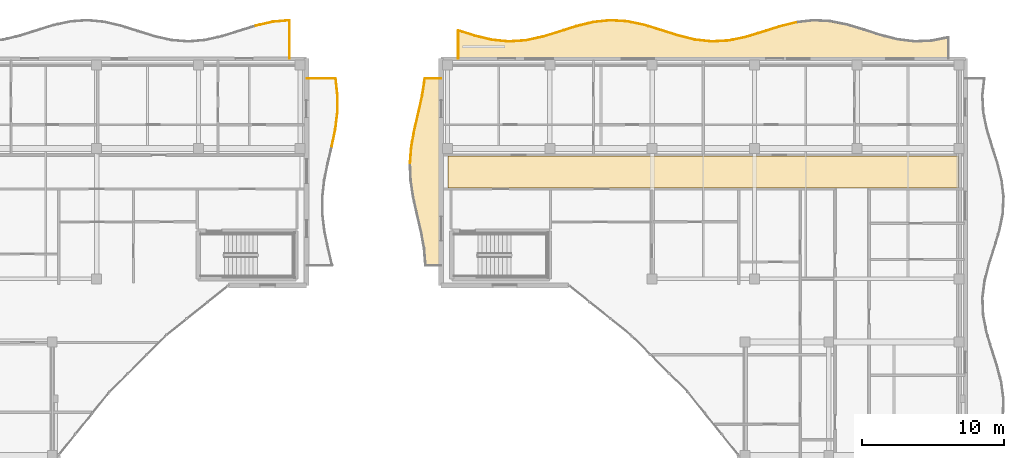
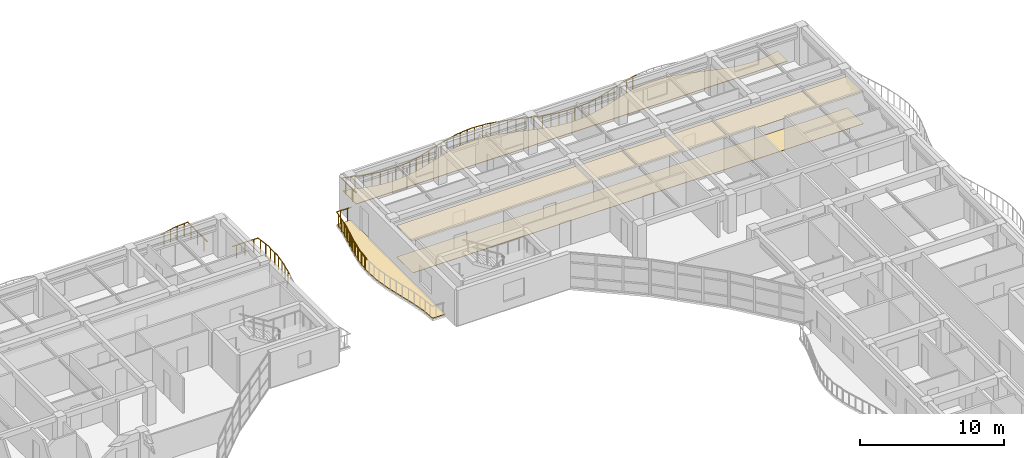
# One storey, part 127 of 128: 35 railings, 4 coverings.
"""IFC4 building model written with IfcOpenShell, lengths in metres."""

from ifc_helpers import new_model, si_unit, direction, frame, origin, origin_2d, place, context, subcontext, project, spatial, polyline, circle, outline, extrude, material, layer, layer_set, type_object, element, save


model = new_model("IFC4")

# Units and contexts
model_context = context("Model", 3, precision=1e-05, world=origin(), true_north=direction((0.0, 1.0)))
body_context = subcontext(model_context, "Body", "Model", "MODEL_VIEW")
ifc_project = project(units=[si_unit("LENGTHUNIT", "METRE"), si_unit("AREAUNIT", "SQUARE_METRE"), si_unit("VOLUMEUNIT", "CUBIC_METRE"), si_unit("PLANEANGLEUNIT", "RADIAN"), si_unit("MASSUNIT", "GRAM", prefix="KILO")], contexts=[model_context])

# Site, building, storey
site_placement = place(None, origin())
site = spatial("IfcSite", under=ifc_project, at=site_placement, CompositionType="ELEMENT")
building_placement = place(site_placement, origin())
building = spatial("IfcBuilding", under=site, at=building_placement, Name="Keldmere Railside Commons", CompositionType="ELEMENT")
storey_placement = place(building_placement, frame((0.0, 0.0, 4.159912109375)))
storey = spatial("IfcBuildingStorey", under=building, at=storey_placement, Name="L01", CompositionType="ELEMENT", Elevation=4.159912109375)

# Railings
ifc_material_1 = material(Name="Steel F-24 (S235)", Category="steel")
railing_type = type_object("IfcRailingType", Name="Balcony & Terrace Steel Balustrade 1100", PredefinedType="BALUSTRADE", material=ifc_material_1)
railing_1_placement = place(storey_placement, frame((133.9228515625, 118.319091796875, 0.0)))
element("IfcRailing", 1, at=railing_1_placement, inside=storey, type_object=railing_type, Name="GR-1 GRD-L01-1878", PredefinedType="BALUSTRADE", context=body_context, shape_type="SweptSolid", body=[
    extrude(circle(Radius=0.02392578125, at=origin_2d()), frame((0.0, 0.0, 1.076171875), z_axis=(0.974232423658, 0.225546413612, 0.0), x_axis=(-0.225546413612, 0.974232423658, 0.0)), (0.0, 0.0, 1.0), 1.219970703125),
    extrude(circle(Radius=0.02099609375, at=origin_2d()), frame((0.297119140625, 0.06884765625, 0.0)), (0.0, 0.0, 1.0), 1.048095703125),
    extrude(circle(Radius=0.02099609375, at=origin_2d()), frame((0.891357421875, 0.206298828125, 0.0)), (0.0, 0.0, 1.0), 1.048095703125),
])
railing_2_placement = place(storey_placement, frame((135.111328125, 118.59423828125, 0.0)))
element("IfcRailing", 2, at=railing_2_placement, inside=storey, type_object=railing_type, Name="GR-1 GRD-L01-1879", PredefinedType="BALUSTRADE", context=body_context, shape_type="SweptSolid", body=[
    extrude(circle(Radius=0.02392578125, at=origin_2d()), frame((0.0, 0.0, 1.076171875), z_axis=(0.996069031511, 0.088580384195, 0.0), x_axis=(-0.088580384195, 0.996069031511, 0.0)), (0.0, 0.0, 1.0), 1.193359375),
    extrude(circle(Radius=0.02099609375, at=origin_2d()), frame((0.297119140625, 0.0263671875, 0.0)), (0.0, 0.0, 1.0), 1.048095703125),
    extrude(circle(Radius=0.02099609375, at=origin_2d()), frame((0.8916015625, 0.079345703125, 0.0)), (0.0, 0.0, 1.0), 1.048095703125),
])
railing_3_placement = place(storey_placement, frame((136.300048828125, 118.699951171875, 0.0)))
element("IfcRailing", 3, at=railing_3_placement, inside=storey, type_object=railing_type, Name="GR-1 GRD-L01-1880", PredefinedType="BALUSTRADE", context=body_context, shape_type="SweptSolid", body=[
    extrude(circle(Radius=0.02392578125, at=origin_2d()), frame((0.0, 0.0, 1.076171875), z_axis=(0.0, -1.0, 0.0), x_axis=(1.0, 0.0, 0.0)), (0.0, 0.0, 1.0), 2.699951171875),
    extrude(circle(Radius=0.02099609375, at=origin_2d()), frame((0.0, -0.449951171875, 0.0)), (0.0, 0.0, 1.0), 1.048095703125),
    extrude(circle(Radius=0.02099609375, at=origin_2d()), frame((0.0, -1.35009765625, 0.0)), (0.0, 0.0, 1.0), 1.048095703125),
    extrude(circle(Radius=0.02099609375, at=origin_2d()), frame((0.0, -2.25, 0.0)), (0.0, 0.0, 1.0), 1.048095703125),
])
railing_4_placement = place(storey_placement, frame((139.276611328125, 109.800048828125, 0.0)))
element("IfcRailing", 4, at=railing_4_placement, inside=storey, type_object=railing_type, Name="GR-1 GRD-L01-1944", PredefinedType="BALUSTRADE", context=body_context, shape_type="SweptSolid", body=[
    extrude(circle(Radius=0.02392578125, at=origin_2d()), frame((0.0, 0.0, 1.076171875), z_axis=(0.204343953093, 0.978899151514, 0.0), x_axis=(-0.978899151514, 0.204343953093, 0.0)), (0.0, 0.0, 1.0), 1.225830078125),
    extrude(circle(Radius=0.02099609375, at=origin_2d()), frame((0.0625, 0.300048828125, 0.0)), (0.0, 0.0, 1.0), 1.048095703125),
    extrude(circle(Radius=0.02099609375, at=origin_2d()), frame((0.18798828125, 0.89990234375, 0.0)), (0.0, 0.0, 1.0), 1.048095703125),
])
railing_5_placement = place(storey_placement, frame((139.527099609375, 111.0, 0.0)))
element("IfcRailing", 5, at=railing_5_placement, inside=storey, type_object=railing_type, Name="GR-1 GRD-L01-1945", PredefinedType="BALUSTRADE", context=body_context, shape_type="SweptSolid", body=[
    extrude(circle(Radius=0.02392578125, at=origin_2d()), frame((0.0, 0.0, 1.076171875), z_axis=(0.123761395643, 0.992312005847, 0.0), x_axis=(-0.992312005847, 0.123761395643, 0.0)), (0.0, 0.0, 1.0), 1.209228515625),
    extrude(circle(Radius=0.02099609375, at=origin_2d()), frame((0.037353515625, 0.300048828125, 0.0)), (0.0, 0.0, 1.0), 1.048095703125),
    extrude(circle(Radius=0.02099609375, at=origin_2d()), frame((0.1123046875, 0.89990234375, 0.0)), (0.0, 0.0, 1.0), 1.048095703125),
])
railing_6_placement = place(storey_placement, frame((139.6767578125, 112.199951171875, 0.0)))
element("IfcRailing", 6, at=railing_6_placement, inside=storey, type_object=railing_type, Name="GR-1 GRD-L01-1946", PredefinedType="BALUSTRADE", context=body_context, shape_type="SweptSolid", body=[
    extrude(circle(Radius=0.02392578125, at=origin_2d()), frame((0.0, 0.0, 1.076171875), z_axis=(0.00712087744, 0.999974646231, 0.0), x_axis=(-0.999974646231, 0.00712087744, 0.0)), (0.0, 0.0, 1.0), 1.199951171875),
    extrude(circle(Radius=0.02099609375, at=origin_2d()), frame((0.002197265625, 0.300048828125, 0.0)), (0.0, 0.0, 1.0), 1.048095703125),
    extrude(circle(Radius=0.02099609375, at=origin_2d()), frame((0.00634765625, 0.89990234375, 0.0)), (0.0, 0.0, 1.0), 1.048095703125),
])
railing_7_placement = place(storey_placement, frame((139.685302734375, 113.39990234375, 0.0)))
element("IfcRailing", 7, at=railing_7_placement, inside=storey, type_object=railing_type, Name="GR-1 GRD-L01-1947", PredefinedType="BALUSTRADE", context=body_context, shape_type="SweptSolid", body=[
    extrude(circle(Radius=0.02392578125, at=origin_2d()), frame((0.0, 0.0, 1.076171875), z_axis=(-0.111784792258, 0.993732438949, 0.0), x_axis=(-0.993732438949, -0.111784792258, 0.0)), (0.0, 0.0, 1.0), 1.207763671875),
    extrude(circle(Radius=0.02099609375, at=origin_2d()), frame((-0.03369140625, 0.300048828125, 0.0)), (0.0, 0.0, 1.0), 1.048095703125),
    extrude(circle(Radius=0.02099609375, at=origin_2d()), frame((-0.101318359375, 0.900146484375, 0.0)), (0.0, 0.0, 1.0), 1.048095703125),
])
railing_8_placement = place(storey_placement, frame((139.55029296875, 114.60009765625, 0.0)))
element("IfcRailing", 8, at=railing_8_placement, inside=storey, type_object=railing_type, Name="GR-1 GRD-L01-1948", PredefinedType="BALUSTRADE", context=body_context, shape_type="SweptSolid", body=[
    extrude(circle(Radius=0.02392578125, at=origin_2d()), frame((0.0, 0.0, 1.076171875), z_axis=(-1.0, 0.0, 0.0), x_axis=(0.0, -1.0, 0.0)), (0.0, 0.0, 1.0), 2.05029296875),
    extrude(circle(Radius=0.02099609375, at=origin_2d()), frame((-0.341796875, 0.0, 0.0)), (0.0, 0.0, 1.0), 1.048095703125),
    extrude(circle(Radius=0.02099609375, at=origin_2d()), frame((-1.025146484375, 0.0, 0.0)), (0.0, 0.0, 1.0), 1.048095703125),
    extrude(circle(Radius=0.02099609375, at=origin_2d()), frame((-1.70849609375, 0.0, 0.0)), (0.0, 0.0, 1.0), 1.048095703125),
])
railing_9_placement = place(storey_placement, frame((148.199951171875, 116.0, 0.0)))
element("IfcRailing", 9, at=railing_9_placement, inside=storey, type_object=railing_type, Name="GR-1 GRD-L01-3156", PredefinedType="BALUSTRADE", context=body_context, shape_type="SweptSolid", body=[
    extrude(circle(Radius=0.02392578125, at=origin_2d()), frame((0.0, 0.0, 1.076171875), z_axis=(0.0, 1.0, 0.0), x_axis=(-1.0, 0.0, 0.0)), (0.0, 0.0, 1.0), 1.981201171875),
    extrude(circle(Radius=0.02099609375, at=origin_2d()), frame((0.0, 0.495361328125, 0.0)), (0.0, 0.0, 1.0), 1.048095703125),
    extrude(circle(Radius=0.02099609375, at=origin_2d()), frame((0.0, 1.48583984375, 0.0)), (0.0, 0.0, 1.0), 1.048095703125),
])
railing_10_placement = place(storey_placement, frame((148.199951171875, 117.981201171875, 0.0)))
element("IfcRailing", 10, at=railing_10_placement, inside=storey, type_object=railing_type, Name="GR-1 GRD-L01-3157", PredefinedType="BALUSTRADE", context=body_context, shape_type="SweptSolid", body=[
    extrude(circle(Radius=0.02392578125, at=origin_2d()), frame((0.0, 0.0, 1.076171875), z_axis=(0.953541371772, -0.301262099042, 0.0), x_axis=(0.301262099042, 0.953541371772, 0.0)), (0.0, 0.0, 1.0), 1.251220703125),
    extrude(circle(Radius=0.02099609375, at=origin_2d()), frame((0.29833984375, -0.09423828125, 0.0)), (0.0, 0.0, 1.0), 1.048095703125),
    extrude(circle(Radius=0.02099609375, at=origin_2d()), frame((0.894775390625, -0.28271484375, 0.0)), (0.0, 0.0, 1.0), 1.048095703125),
])
railing_11_placement = place(storey_placement, frame((149.39306640625, 117.604248046875, 0.0)))
element("IfcRailing", 11, at=railing_11_placement, inside=storey, type_object=railing_type, Name="GR-1 GRD-L01-3158", PredefinedType="BALUSTRADE", context=body_context, shape_type="SweptSolid", body=[
    extrude(circle(Radius=0.02392578125, at=origin_2d()), frame((0.0, 0.0, 1.076171875), z_axis=(0.972607264902, -0.232454529447, 0.0), x_axis=(0.232454529447, 0.972607264902, 0.0)), (0.0, 0.0, 1.0), 1.226806640625),
    extrude(circle(Radius=0.02099609375, at=origin_2d()), frame((0.29833984375, -0.0712890625, 0.0)), (0.0, 0.0, 1.0), 1.048095703125),
    extrude(circle(Radius=0.02099609375, at=origin_2d()), frame((0.894775390625, -0.2138671875, 0.0)), (0.0, 0.0, 1.0), 1.048095703125),
])
railing_12_placement = place(storey_placement, frame((150.586181640625, 117.319091796875, 0.0)))
element("IfcRailing", 12, at=railing_12_placement, inside=storey, type_object=railing_type, Name="GR-1 GRD-L01-3159", PredefinedType="BALUSTRADE", context=body_context, shape_type="SweptSolid", body=[
    extrude(circle(Radius=0.02392578125, at=origin_2d()), frame((0.0, 0.0, 1.076171875), z_axis=(0.995131496743, -0.098556096669, 0.0), x_axis=(0.098556096669, 0.995131496743, 0.0)), (0.0, 0.0, 1.0), 1.198974609375),
    extrude(circle(Radius=0.02099609375, at=origin_2d()), frame((0.29833984375, -0.029541015625, 0.0)), (0.0, 0.0, 1.0), 1.048095703125),
    extrude(circle(Radius=0.02099609375, at=origin_2d()), frame((0.894775390625, -0.088623046875, 0.0)), (0.0, 0.0, 1.0), 1.048095703125),
])
railing_13_placement = place(storey_placement, frame((151.779296875, 117.200927734375, 0.0)))
element("IfcRailing", 13, at=railing_13_placement, inside=storey, type_object=railing_type, Name="GR-1 GRD-L01-3160", PredefinedType="BALUSTRADE", context=body_context, shape_type="SweptSolid", body=[
    extrude(circle(Radius=0.02392578125, at=origin_2d()), frame((0.0, 0.0, 1.076171875), z_axis=(0.997741583935, 0.067169425233, 0.0), x_axis=(-0.067169425233, 0.997741583935, 0.0)), (0.0, 0.0, 1.0), 1.19580078125),
    extrude(circle(Radius=0.02099609375, at=origin_2d()), frame((0.29833984375, 0.02001953125, 0.0)), (0.0, 0.0, 1.0), 1.048095703125),
    extrude(circle(Radius=0.02099609375, at=origin_2d()), frame((0.894775390625, 0.060302734375, 0.0)), (0.0, 0.0, 1.0), 1.048095703125),
])
railing_14_placement = place(storey_placement, frame((152.972412109375, 117.28125, 0.0)))
element("IfcRailing", 14, at=railing_14_placement, inside=storey, type_object=railing_type, Name="GR-1 GRD-L01-3161", PredefinedType="BALUSTRADE", context=body_context, shape_type="SweptSolid", body=[
    extrude(circle(Radius=0.02392578125, at=origin_2d()), frame((0.0, 0.0, 1.076171875), z_axis=(0.977482229264, 0.21101775156, 0.0), x_axis=(-0.21101775156, 0.977482229264, 0.0)), (0.0, 0.0, 1.0), 1.220703125),
    extrude(circle(Radius=0.02099609375, at=origin_2d()), frame((0.29833984375, 0.064453125, 0.0)), (0.0, 0.0, 1.0), 1.048095703125),
    extrude(circle(Radius=0.02099609375, at=origin_2d()), frame((0.894775390625, 0.193115234375, 0.0)), (0.0, 0.0, 1.0), 1.048095703125),
])
railing_15_placement = place(storey_placement, frame((154.16552734375, 117.538818359375, 0.0)))
element("IfcRailing", 15, at=railing_15_placement, inside=storey, type_object=railing_type, Name="GR-1 GRD-L01-3162", PredefinedType="BALUSTRADE", context=body_context, shape_type="SweptSolid", body=[
    extrude(circle(Radius=0.02392578125, at=origin_2d()), frame((0.0, 0.0, 1.076171875), z_axis=(0.955926913869, 0.293604726359, 0.0), x_axis=(-0.293604726359, 0.955926913869, 0.0)), (0.0, 0.0, 1.0), 1.248046875),
    extrude(circle(Radius=0.02099609375, at=origin_2d()), frame((0.29833984375, 0.091552734375, 0.0)), (0.0, 0.0, 1.0), 1.048095703125),
    extrude(circle(Radius=0.02099609375, at=origin_2d()), frame((0.894775390625, 0.27490234375, 0.0)), (0.0, 0.0, 1.0), 1.048095703125),
])
railing_16_placement = place(storey_placement, frame((155.358642578125, 117.9052734375, 0.0)))
element("IfcRailing", 16, at=railing_16_placement, inside=storey, type_object=railing_type, Name="GR-1 GRD-L01-3163", PredefinedType="BALUSTRADE", context=body_context, shape_type="SweptSolid", body=[
    extrude(circle(Radius=0.02392578125, at=origin_2d()), frame((0.0, 0.0, 1.076171875), z_axis=(0.95320459248, 0.302325991067, 0.0), x_axis=(-0.302325991067, 0.95320459248, 0.0)), (0.0, 0.0, 1.0), 1.251708984375),
    extrude(circle(Radius=0.02099609375, at=origin_2d()), frame((0.29833984375, 0.0947265625, 0.0)), (0.0, 0.0, 1.0), 1.048095703125),
    extrude(circle(Radius=0.02099609375, at=origin_2d()), frame((0.894775390625, 0.28369140625, 0.0)), (0.0, 0.0, 1.0), 1.048095703125),
])
railing_17_placement = place(storey_placement, frame((156.5517578125, 118.28369140625, 0.0)))
element("IfcRailing", 17, at=railing_17_placement, inside=storey, type_object=railing_type, Name="GR-1 GRD-L01-3164", PredefinedType="BALUSTRADE", context=body_context, shape_type="SweptSolid", body=[
    extrude(circle(Radius=0.02392578125, at=origin_2d()), frame((0.0, 0.0, 1.076171875), z_axis=(0.971746537632, 0.236026834493, 0.0), x_axis=(-0.236026834493, 0.971746537632, 0.0)), (0.0, 0.0, 1.0), 1.227783203125),
    extrude(circle(Radius=0.02099609375, at=origin_2d()), frame((0.29833984375, 0.072509765625, 0.0)), (0.0, 0.0, 1.0), 1.048095703125),
    extrude(circle(Radius=0.02099609375, at=origin_2d()), frame((0.894775390625, 0.21728515625, 0.0)), (0.0, 0.0, 1.0), 1.048095703125),
])
railing_18_placement = place(storey_placement, frame((157.744873046875, 118.573486328125, 0.0)))
element("IfcRailing", 18, at=railing_18_placement, inside=storey, type_object=railing_type, Name="GR-1 GRD-L01-3165", PredefinedType="BALUSTRADE", context=body_context, shape_type="SweptSolid", body=[
    extrude(circle(Radius=0.02392578125, at=origin_2d()), frame((0.0, 0.0, 1.076171875), z_axis=(0.99457769931, 0.103996153949, 0.0), x_axis=(-0.103996153949, 0.99457769931, 0.0)), (0.0, 0.0, 1.0), 1.19970703125),
    extrude(circle(Radius=0.02099609375, at=origin_2d()), frame((0.29833984375, 0.03125, 0.0)), (0.0, 0.0, 1.0), 1.048095703125),
    extrude(circle(Radius=0.02099609375, at=origin_2d()), frame((0.894775390625, 0.093505859375, 0.0)), (0.0, 0.0, 1.0), 1.048095703125),
])
railing_19_placement = place(storey_placement, frame((158.93798828125, 118.6982421875, 0.0)))
element("IfcRailing", 19, at=railing_19_placement, inside=storey, type_object=railing_type, Name="GR-1 GRD-L01-3166", PredefinedType="BALUSTRADE", context=body_context, shape_type="SweptSolid", body=[
    extrude(circle(Radius=0.02392578125, at=origin_2d()), frame((0.0, 0.0, 1.076171875), z_axis=(0.99810859377, -0.061475483267, 0.0), x_axis=(0.061475483267, 0.99810859377, 0.0)), (0.0, 0.0, 1.0), 1.1953125),
    extrude(circle(Radius=0.02099609375, at=origin_2d()), frame((0.29833984375, -0.018310546875, 0.0)), (0.0, 0.0, 1.0), 1.048095703125),
    extrude(circle(Radius=0.02099609375, at=origin_2d()), frame((0.894775390625, -0.05517578125, 0.0)), (0.0, 0.0, 1.0), 1.048095703125),
])
railing_20_placement = place(storey_placement, frame((160.131103515625, 118.624755859375, 0.0)))
element("IfcRailing", 20, at=railing_20_placement, inside=storey, type_object=railing_type, Name="GR-1 GRD-L01-3167", PredefinedType="BALUSTRADE", context=body_context, shape_type="SweptSolid", body=[
    extrude(circle(Radius=0.02392578125, at=origin_2d()), frame((0.0, 0.0, 1.076171875), z_axis=(0.978341127659, -0.206999125435, 0.0), x_axis=(0.206999125435, 0.978341127659, 0.0)), (0.0, 0.0, 1.0), 1.219482421875),
    extrude(circle(Radius=0.02099609375, at=origin_2d()), frame((0.29833984375, -0.06298828125, 0.0)), (0.0, 0.0, 1.0), 1.048095703125),
    extrude(circle(Radius=0.02099609375, at=origin_2d()), frame((0.894775390625, -0.189453125, 0.0)), (0.0, 0.0, 1.0), 1.048095703125),
])
railing_21_placement = place(storey_placement, frame((161.32421875, 118.372314453125, 0.0)))
element("IfcRailing", 21, at=railing_21_placement, inside=storey, type_object=railing_type, Name="GR-1 GRD-L01-3168", PredefinedType="BALUSTRADE", context=body_context, shape_type="SweptSolid", body=[
    extrude(circle(Radius=0.02392578125, at=origin_2d()), frame((0.0, 0.0, 1.076171875), z_axis=(0.956457881142, -0.291870384933, 0.0), x_axis=(0.291870384933, 0.956457881142, 0.0)), (0.0, 0.0, 1.0), 1.2470703125),
    extrude(circle(Radius=0.02099609375, at=origin_2d()), frame((0.29833984375, -0.091064453125, 0.0)), (0.0, 0.0, 1.0), 1.048095703125),
    extrude(circle(Radius=0.02099609375, at=origin_2d()), frame((0.89453125, -0.27294921875, 0.0)), (0.0, 0.0, 1.0), 1.048095703125),
])
railing_22_placement = place(storey_placement, frame((162.51708984375, 118.00830078125, 0.0)))
element("IfcRailing", 22, at=railing_22_placement, inside=storey, type_object=railing_type, Name="GR-1 GRD-L01-3169", PredefinedType="BALUSTRADE", context=body_context, shape_type="SweptSolid", body=[
    extrude(circle(Radius=0.02392578125, at=origin_2d()), frame((0.0, 0.0, 1.076171875), z_axis=(0.952923219116, -0.303211705694, 0.0), x_axis=(0.303211705694, 0.952923219116, 0.0)), (0.0, 0.0, 1.0), 1.251953125),
    extrude(circle(Radius=0.02099609375, at=origin_2d()), frame((0.29833984375, -0.094970703125, 0.0)), (0.0, 0.0, 1.0), 1.048095703125),
    extrude(circle(Radius=0.02099609375, at=origin_2d()), frame((0.894775390625, -0.28466796875, 0.0)), (0.0, 0.0, 1.0), 1.048095703125),
])
railing_23_placement = place(storey_placement, frame((163.710205078125, 117.628662109375, 0.0)))
element("IfcRailing", 23, at=railing_23_placement, inside=storey, type_object=railing_type, Name="GR-1 GRD-L01-3170", PredefinedType="BALUSTRADE", context=body_context, shape_type="SweptSolid", body=[
    extrude(circle(Radius=0.02392578125, at=origin_2d()), frame((0.0, 0.0, 1.076171875), z_axis=(0.970828030816, -0.239776843298, 0.0), x_axis=(0.239776843298, 0.970828030816, 0.0)), (0.0, 0.0, 1.0), 1.22900390625),
    extrude(circle(Radius=0.02099609375, at=origin_2d()), frame((0.29833984375, -0.07373046875, 0.0)), (0.0, 0.0, 1.0), 1.048095703125),
    extrude(circle(Radius=0.02099609375, at=origin_2d()), frame((0.894775390625, -0.220947265625, 0.0)), (0.0, 0.0, 1.0), 1.048095703125),
])
railing_24_placement = place(storey_placement, frame((164.9033203125, 117.333984375, 0.0)))
element("IfcRailing", 24, at=railing_24_placement, inside=storey, type_object=railing_type, Name="GR-1 GRD-L01-3171", PredefinedType="BALUSTRADE", context=body_context, shape_type="SweptSolid", body=[
    extrude(circle(Radius=0.02392578125, at=origin_2d()), frame((0.0, 0.0, 1.076171875), z_axis=(0.994019375951, -0.109203847153, 0.0), x_axis=(0.109203847153, 0.994019375951, 0.0)), (0.0, 0.0, 1.0), 1.200439453125),
    extrude(circle(Radius=0.02099609375, at=origin_2d()), frame((0.29833984375, -0.03271484375, 0.0)), (0.0, 0.0, 1.0), 1.048095703125),
    extrude(circle(Radius=0.02099609375, at=origin_2d()), frame((0.89501953125, -0.098388671875, 0.0)), (0.0, 0.0, 1.0), 1.048095703125),
])
railing_25_placement = place(storey_placement, frame((166.0966796875, 117.202880859375, 0.0)))
element("IfcRailing", 25, at=railing_25_placement, inside=storey, type_object=railing_type, Name="GR-1 GRD-L01-3172", PredefinedType="BALUSTRADE", context=body_context, shape_type="SweptSolid", body=[
    extrude(circle(Radius=0.02392578125, at=origin_2d()), frame((0.0, 0.0, 1.076171875), z_axis=(0.998443333351, 0.055775533048, 0.0), x_axis=(-0.055775533048, 0.998443333351, 0.0)), (0.0, 0.0, 1.0), 1.195068359375),
    extrude(circle(Radius=0.02099609375, at=origin_2d()), frame((0.29833984375, 0.0166015625, 0.0)), (0.0, 0.0, 1.0), 1.048095703125),
    extrude(circle(Radius=0.02099609375, at=origin_2d()), frame((0.894775390625, 0.050048828125, 0.0)), (0.0, 0.0, 1.0), 1.048095703125),
])
railing_26_placement = place(storey_placement, frame((167.289794921875, 117.26953125, 0.0)))
element("IfcRailing", 26, at=railing_26_placement, inside=storey, type_object=railing_type, Name="GR-1 GRD-L01-3173", PredefinedType="BALUSTRADE", context=body_context, shape_type="SweptSolid", body=[
    extrude(circle(Radius=0.02392578125, at=origin_2d()), frame((0.0, 0.0, 1.076171875), z_axis=(0.979224762109, 0.202777871752, 0.0), x_axis=(-0.202777871752, 0.979224762109, 0.0)), (0.0, 0.0, 1.0), 1.218505859375),
    extrude(circle(Radius=0.02099609375, at=origin_2d()), frame((0.29833984375, 0.061767578125, 0.0)), (0.0, 0.0, 1.0), 1.048095703125),
    extrude(circle(Radius=0.02099609375, at=origin_2d()), frame((0.894775390625, 0.185302734375, 0.0)), (0.0, 0.0, 1.0), 1.048095703125),
])
railing_27_placement = place(storey_placement, frame((168.48291015625, 117.5166015625, 0.0)))
element("IfcRailing", 27, at=railing_27_placement, inside=storey, type_object=railing_type, Name="GR-1 GRD-L01-3174", PredefinedType="BALUSTRADE", context=body_context, shape_type="SweptSolid", body=[
    extrude(circle(Radius=0.02392578125, at=origin_2d()), frame((0.0, 0.0, 1.076171875), z_axis=(0.956948599353, 0.290257434351, 0.0), x_axis=(-0.290257434351, 0.956948599353, 0.0)), (0.0, 0.0, 1.0), 1.24658203125),
    extrude(circle(Radius=0.02099609375, at=origin_2d()), frame((0.29833984375, 0.09033203125, 0.0)), (0.0, 0.0, 1.0), 1.048095703125),
    extrude(circle(Radius=0.02099609375, at=origin_2d()), frame((0.89453125, 0.271484375, 0.0)), (0.0, 0.0, 1.0), 1.048095703125),
])
railing_28_placement = place(storey_placement, frame((169.67578125, 117.87841796875, 0.0)))
element("IfcRailing", 28, at=railing_28_placement, inside=storey, type_object=railing_type, Name="GR-1 GRD-L01-3175", PredefinedType="BALUSTRADE", context=body_context, shape_type="SweptSolid", body=[
    extrude(circle(Radius=0.02392578125, at=origin_2d()), frame((0.0, 0.0, 1.076171875), z_axis=(0.952697648032, 0.303919712151, 0.0), x_axis=(-0.303919712151, 0.952697648032, 0.0)), (0.0, 0.0, 1.0), 1.25244140625),
    extrude(circle(Radius=0.02099609375, at=origin_2d()), frame((0.29833984375, 0.09521484375, 0.0)), (0.0, 0.0, 1.0), 1.048095703125),
    extrude(circle(Radius=0.02099609375, at=origin_2d()), frame((0.894775390625, 0.285400390625, 0.0)), (0.0, 0.0, 1.0), 1.048095703125),
])
railing_29_placement = place(storey_placement, frame((170.868896484375, 118.259033203125, 0.0)))
element("IfcRailing", 29, at=railing_29_placement, inside=storey, type_object=railing_type, Name="GR-1 GRD-L01-3176", PredefinedType="BALUSTRADE", context=body_context, shape_type="SweptSolid", body=[
    extrude(circle(Radius=0.02392578125, at=origin_2d()), frame((0.0, 0.0, 1.076171875), z_axis=(0.969990528411, 0.243142704584, 0.0), x_axis=(-0.243142704584, 0.969990528411, 0.0)), (0.0, 0.0, 1.0), 1.22998046875),
    extrude(circle(Radius=0.02099609375, at=origin_2d()), frame((0.29833984375, 0.07470703125, 0.0)), (0.0, 0.0, 1.0), 1.048095703125),
    extrude(circle(Radius=0.02099609375, at=origin_2d()), frame((0.894775390625, 0.224365234375, 0.0)), (0.0, 0.0, 1.0), 1.048095703125),
])
railing_30_placement = place(storey_placement, frame((144.802001953125, 108.60009765625, 0.0)))
element("IfcRailing", 30, at=railing_30_placement, inside=storey, type_object=railing_type, Name="GR-1 GRD-L01-3270", PredefinedType="BALUSTRADE", context=body_context, shape_type="SweptSolid", body=[
    extrude(circle(Radius=0.02392578125, at=origin_2d()), frame((0.0, 0.0, 1.076171875), z_axis=(0.081115338474, 0.996704721502, 0.0), x_axis=(-0.996704721502, 0.081115338474, 0.0)), (0.0, 0.0, 1.0), 1.203857421875),
    extrude(circle(Radius=0.02099609375, at=origin_2d()), frame((0.0244140625, 0.300048828125, 0.0)), (0.0, 0.0, 1.0), 1.048095703125),
    extrude(circle(Radius=0.02099609375, at=origin_2d()), frame((0.0732421875, 0.89990234375, 0.0)), (0.0, 0.0, 1.0), 1.048095703125),
])
railing_31_placement = place(storey_placement, frame((144.899658203125, 109.800048828125, 0.0)))
element("IfcRailing", 31, at=railing_31_placement, inside=storey, type_object=railing_type, Name="GR-1 GRD-L01-3271", PredefinedType="BALUSTRADE", context=body_context, shape_type="SweptSolid", body=[
    extrude(circle(Radius=0.02392578125, at=origin_2d()), frame((0.0, 0.0, 1.076171875), z_axis=(0.17876212496, 0.983892322706, 0.0), x_axis=(-0.983892322706, 0.17876212496, 0.0)), (0.0, 0.0, 1.0), 1.219482421875),
    extrude(circle(Radius=0.02099609375, at=origin_2d()), frame((0.054443359375, 0.300048828125, 0.0)), (0.0, 0.0, 1.0), 1.048095703125),
    extrude(circle(Radius=0.02099609375, at=origin_2d()), frame((0.16357421875, 0.89990234375, 0.0)), (0.0, 0.0, 1.0), 1.048095703125),
])
railing_32_placement = place(storey_placement, frame((145.11767578125, 111.0, 0.0)))
element("IfcRailing", 32, at=railing_32_placement, inside=storey, type_object=railing_type, Name="GR-1 GRD-L01-3272", PredefinedType="BALUSTRADE", context=body_context, shape_type="SweptSolid", body=[
    extrude(circle(Radius=0.02392578125, at=origin_2d()), frame((0.0, 0.0, 1.076171875), z_axis=(0.227636685931, 0.973746136947, 0.0), x_axis=(-0.973746136947, 0.227636685931, 0.0)), (0.0, 0.0, 1.0), 1.232421875),
    extrude(circle(Radius=0.02099609375, at=origin_2d()), frame((0.070068359375, 0.300048828125, 0.0)), (0.0, 0.0, 1.0), 1.048095703125),
    extrude(circle(Radius=0.02099609375, at=origin_2d()), frame((0.21044921875, 0.89990234375, 0.0)), (0.0, 0.0, 1.0), 1.048095703125),
])
railing_33_placement = place(storey_placement, frame((145.398193359375, 112.199951171875, 0.0)))
element("IfcRailing", 33, at=railing_33_placement, inside=storey, type_object=railing_type, Name="GR-1 GRD-L01-3273", PredefinedType="BALUSTRADE", context=body_context, shape_type="SweptSolid", body=[
    extrude(circle(Radius=0.02392578125, at=origin_2d()), frame((0.0, 0.0, 1.076171875), z_axis=(0.217456105912, 0.976070100967, 0.0), x_axis=(-0.976070100967, 0.217456105912, 0.0)), (0.0, 0.0, 1.0), 1.229248046875),
    extrude(circle(Radius=0.02099609375, at=origin_2d()), frame((0.06689453125, 0.300048828125, 0.0)), (0.0, 0.0, 1.0), 1.048095703125),
    extrude(circle(Radius=0.02099609375, at=origin_2d()), frame((0.200439453125, 0.89990234375, 0.0)), (0.0, 0.0, 1.0), 1.048095703125),
])
railing_34_placement = place(storey_placement, frame((145.66552734375, 113.39990234375, 0.0)))
element("IfcRailing", 34, at=railing_34_placement, inside=storey, type_object=railing_type, Name="GR-1 GRD-L01-3274", PredefinedType="BALUSTRADE", context=body_context, shape_type="SweptSolid", body=[
    extrude(circle(Radius=0.02392578125, at=origin_2d()), frame((0.0, 0.0, 1.076171875), z_axis=(0.150621448955, 0.988591512767, 0.0), x_axis=(-0.988591512767, 0.150621448955, 0.0)), (0.0, 0.0, 1.0), 1.214111328125),
    extrude(circle(Radius=0.02099609375, at=origin_2d()), frame((0.045654296875, 0.300048828125, 0.0)), (0.0, 0.0, 1.0), 1.048095703125),
    extrude(circle(Radius=0.02099609375, at=origin_2d()), frame((0.13720703125, 0.900146484375, 0.0)), (0.0, 0.0, 1.0), 1.048095703125),
])
railing_35_placement = place(storey_placement, frame((145.848388671875, 114.60009765625, 0.0)))
element("IfcRailing", 35, at=railing_35_placement, inside=storey, type_object=railing_type, Name="GR-1 GRD-L01-3275", PredefinedType="BALUSTRADE", context=body_context, shape_type="SweptSolid", body=[
    extrude(circle(Radius=0.02392578125, at=origin_2d()), frame((0.0, 0.0, 1.076171875), z_axis=(1.0, 0.0, 0.0), x_axis=(0.0, 1.0, 0.0)), (0.0, 0.0, 1.0), 1.151611328125),
    extrude(circle(Radius=0.02099609375, at=origin_2d()), frame((0.287841796875, 0.0, 0.0)), (0.0, 0.0, 1.0), 1.048095703125),
    extrude(circle(Radius=0.02099609375, at=origin_2d()), frame((0.86376953125, 0.0, 0.0)), (0.0, 0.0, 1.0), 1.048095703125),
])

# Coverings
ifc_material_2 = material(Name="Polished Terrazzo Tile Flooring", Category="concrete")
ifc_layer_1 = layer(ifc_material_2, 0.030029296875, Name="Polished Terrazzo Floor Finish 30")
ifc_layer_set_1 = layer_set([ifc_layer_1], Name="Polished Terrazzo Tile Flooring")
covering_type_1 = type_object("IfcCoveringType", Name="Polished Terrazzo Floor Finish 30", PredefinedType="FLOORING", material=ifc_layer_set_1)
covering_1_placement = place(storey_placement, origin())
element("IfcCovering", 36, at=covering_1_placement, inside=storey, type_object=covering_type_1, Name="FLR-1 Corridor Terrazzo A-L01", PredefinedType="FLOORING", context=body_context, shape_type="SweptSolid", body=[
    extrude(outline(polyline([(147.47998046875, 106.8798828125), (183.52001953125, 106.8798828125), (183.52001953125, 109.1201171875), (147.47998046875, 109.1201171875), (147.47998046875, 106.8798828125)])), origin(), (0.0, 0.0, 1.0), 0.030029296875),
])
ifc_material_3 = material(Name="Acoustic Mineral-Fibre Gypsum Ceiling", Category="gypsum")
ifc_layer_2 = layer(ifc_material_3, 0.02490234375, Name="Suspended Acoustic Ceiling 25")
ifc_layer_set_2 = layer_set([ifc_layer_2], Name="Acoustic Mineral-Fibre Gypsum Ceiling")
covering_type_2 = type_object("IfcCoveringType", Name="Suspended Acoustic Ceiling 25", PredefinedType="CEILING", material=ifc_layer_set_2)
covering_2_placement = place(storey_placement, frame((0.0, 0.0, 2.6650390625)))
element("IfcCovering", 37, at=covering_2_placement, inside=storey, type_object=covering_type_2, Name="CLG-1 Corridor Ceiling A-L01", PredefinedType="CEILING", context=body_context, shape_type="SweptSolid", body=[
    extrude(outline(polyline([(147.47998046875, 106.8798828125), (183.52001953125, 106.8798828125), (183.52001953125, 109.1201171875), (147.47998046875, 109.1201171875), (147.47998046875, 106.8798828125)])), origin(), (0.0, 0.0, 1.0), 0.025146484375),
])
ifc_material_4 = material(Name="White Precast Concrete C35/45", Category="concrete")
ifc_layer_3 = layer(ifc_material_4, 0.044921875, Name="White Architectural Balcony Ribbon Cladding 45")
ifc_layer_set_3 = layer_set([ifc_layer_3], Name="White Precast Concrete C35/45")
covering_type_3 = type_object("IfcCoveringType", Name="White Architectural Balcony Ribbon Cladding 45", PredefinedType="FLOORING", material=ifc_layer_set_3)
covering_3_placement = place(storey_placement, origin())
element("IfcCovering", 38, at=covering_3_placement, inside=storey, type_object=covering_type_3, Name="CLG-WB A L01 N White Balcony Ribbon", PredefinedType="FLOORING", context=body_context, shape_type="SweptSolid", body=[
    extrude(outline(polyline([(182.760009765625, 116.0400390625), (182.760009765625, 117.44580078125), (181.61474609375, 117.21923828125), (181.61181640625, 117.21875), (181.608642578125, 117.218505859375), (180.41552734375, 117.165771484375), (180.412353515625, 117.165771484375), (180.408935546875, 117.166015625), (179.2158203125, 117.310302734375), (179.210693359375, 117.311279296875), (178.017578125, 117.614501953125), (178.015380859375, 117.615234375), (176.822509765625, 117.9970703125), (175.631591796875, 118.355712890625), (174.443359375, 118.59619140625), (173.256591796875, 118.65576171875), (172.0693359375, 118.518798828125), (170.8798828125, 118.220703125), (169.68798828125, 117.840087890625), (169.6875, 117.840087890625), (168.494384765625, 117.478271484375), (168.490966796875, 117.477294921875), (167.2978515625, 117.230224609375), (167.294921875, 117.229736328125), (167.2919921875, 117.2294921875), (166.098876953125, 117.162841796875), (166.095458984375, 117.162841796875), (166.09228515625, 117.1630859375), (164.89892578125, 117.294189453125), (164.893798828125, 117.29541015625), (163.70068359375, 117.58984375), (163.6982421875, 117.590576171875), (162.50537109375, 117.969970703125), (161.314208984375, 118.33349609375), (160.12548828125, 118.5849609375), (158.938720703125, 118.658203125), (157.751708984375, 118.533935546875), (156.5625, 118.2451171875), (155.37060546875, 117.8671875), (155.370361328125, 117.8671875), (154.17724609375, 117.50048828125), (154.173828125, 117.499755859375), (152.980712890625, 117.2421875), (152.97509765625, 117.241455078125), (151.781982421875, 117.1611328125), (151.77880859375, 117.160888671875), (151.775390625, 117.1611328125), (150.582275390625, 117.279296875), (150.576904296875, 117.2802734375), (149.3837890625, 117.5654296875), (149.381103515625, 117.566162109375), (148.239990234375, 117.926513671875), (148.239990234375, 116.0400390625), (182.760009765625, 116.0400390625)])), origin(), (0.0, 0.0, 1.0), 0.045166015625),
])
covering_4_placement = place(storey_placement, origin())
element("IfcCovering", 39, at=covering_4_placement, inside=storey, type_object=covering_type_3, Name="CLG-WB A L01 WW White Balcony Ribbon", PredefinedType="FLOORING", context=body_context, shape_type="SweptSolid", body=[
    extrude(outline(polyline([(146.9599609375, 114.56005859375), (145.8828125, 114.56005859375), (145.705078125, 113.39404296875), (145.70458984375, 113.391357421875), (145.43701171875, 112.19140625), (145.43701171875, 112.19091796875), (145.156982421875, 110.991943359375), (144.939208984375, 109.794921875), (144.84228515625, 108.59912109375), (144.891357421875, 107.40380859375), (145.07373046875, 106.20751953125), (145.3408203125, 105.0087890625), (145.621337890625, 103.80908203125), (145.62158203125, 103.80712890625), (145.83984375, 102.607177734375), (145.84033203125, 102.603271484375), (145.934814453125, 101.43994140625), (146.9599609375, 101.43994140625), (146.9599609375, 114.56005859375)])), origin(), (0.0, 0.0, 1.0), 0.045166015625),
])

save(model, "model.ifc")
